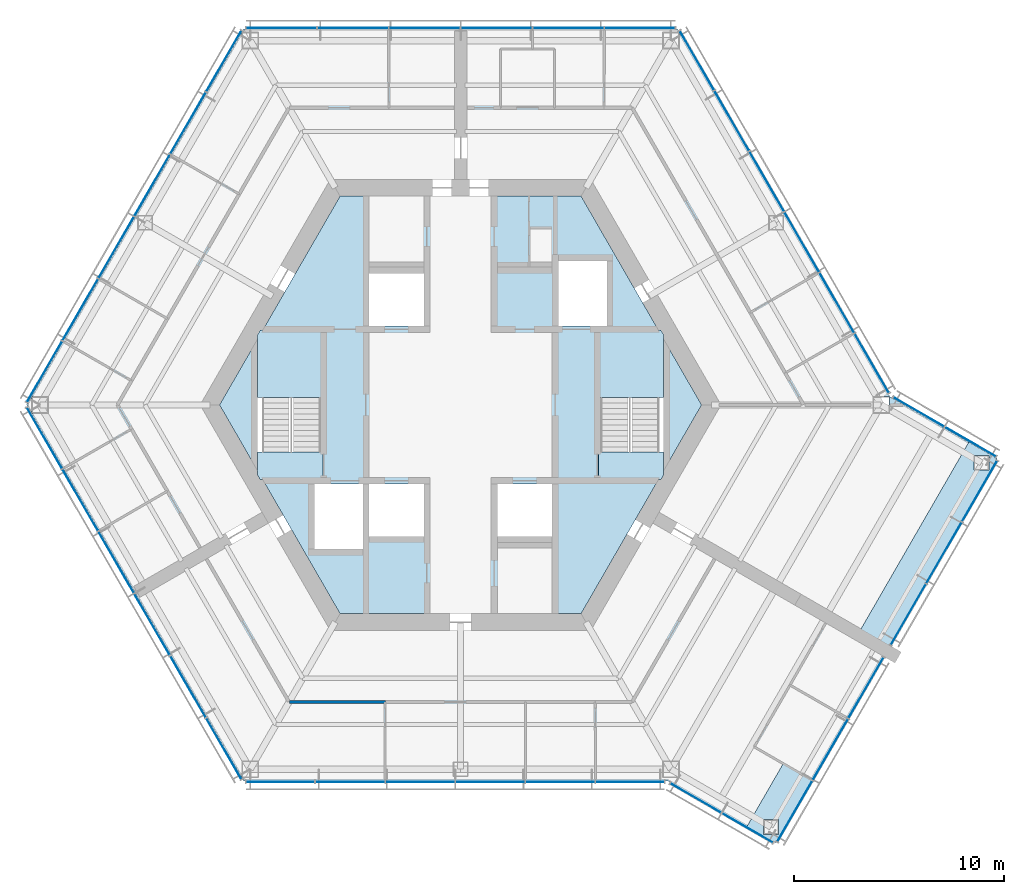
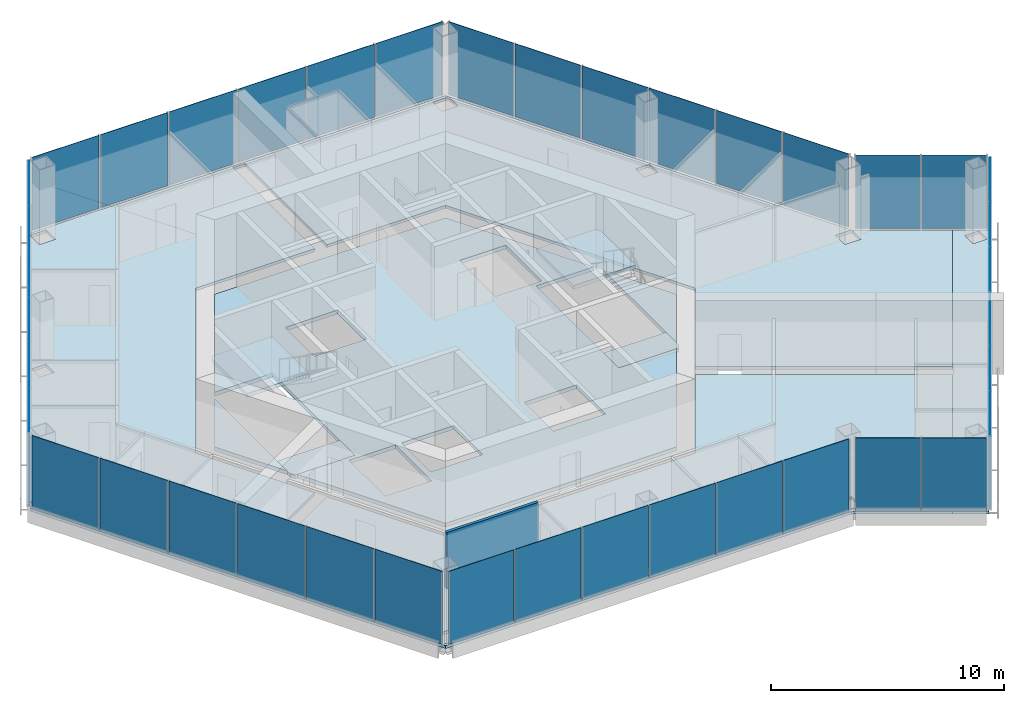
# One storey, part 6 of 13: 40 plates, 9 slabs, 1 wall, 11 elements without a shape of their own.
"""IFC4 building model written with IfcOpenShell, lengths in metres."""

from ifc_helpers import new_model, si_unit, direction, frame, frame_2d, origin, origin_2d, place, context, subcontext, project, spatial, polyline, rectangle, outline, extrude, material, layer, layer_set, type_object, element, aggregate, save


model = new_model("IFC4")

# Units and contexts
model_context = context("Model", 3, precision=1e-05, world=origin(), true_north=direction((0.0, 1.0)))
body_context = subcontext(model_context, "Body", "Model", "MODEL_VIEW")
ifc_project = project(units=[si_unit("LENGTHUNIT", "METRE"), si_unit("AREAUNIT", "SQUARE_METRE"), si_unit("VOLUMEUNIT", "CUBIC_METRE"), si_unit("PLANEANGLEUNIT", "RADIAN"), si_unit("MASSUNIT", "GRAM", prefix="KILO")], contexts=[model_context])

# Site, building, storey
site_placement = place(None, origin())
site = spatial("IfcSite", under=ifc_project, at=site_placement, CompositionType="ELEMENT")
building_placement = place(site_placement, origin())
building = spatial("IfcBuilding", under=site, at=building_placement, Name="Kasaneha Research Tower", CompositionType="ELEMENT")
storey_placement = place(building_placement, frame((0.0, 0.0, 290.800048828125)))
storey = spatial("IfcBuildingStorey", under=building, at=storey_placement, Name="L73", CompositionType="ELEMENT", Elevation=290.800048828125)

# Curtain wall, plates
ifc_material_1 = material(Name="Glass and aluminium", Category="aluminium")
curtain_wall_type = type_object("IfcCurtainWallType", Name="Crown curtain wall", PredefinedType="USERDEFINED", material=ifc_material_1)
curtain_wall_1_placement = place(storey_placement, origin())
curtain_wall_1 = element("IfcCurtainWall", 1, at=curtain_wall_1_placement, inside=storey, type_object=curtain_wall_type, Name="CW-C L73 run 01a", ObjectType="UNITISED CURTAIN WALL", PredefinedType="USERDEFINED")
ifc_material_2 = material(Name="Laminated double glazing", Category="glass")
ifc_layer_1 = layer(ifc_material_2, 0.02587890625)
ifc_layer_set_1 = layer_set([ifc_layer_1], Name="CW-C glazed panel")
plate_type = type_object("IfcPlateType", Name="CW-C glazed panel", PredefinedType="CURTAIN_PANEL", material=ifc_layer_set_1)
plate_1_placement = place(storey_placement, frame((19.549072265625, 1.981201171875, 0.06005859375), z_axis=(0.0, 0.0, 1.0), x_axis=(-0.499999979232, 0.866025415775, 0.0)))
plate_1 = element("IfcPlate", 2, at=plate_1_placement, type_object=plate_type, Name="CW-C panel 1", PredefinedType="CURTAIN_PANEL", context=body_context, shape_type="SweptSolid", body=[
    extrude(rectangle(XDim=3.240966796875, YDim=0.02587890625, at=origin_2d()), origin(), (0.0, 0.0, 1.0), 3.840087890625),
])
plate_2_placement = place(storey_placement, frame((17.89111328125, 4.852783203125, 0.06005859375), z_axis=(0.0, 0.0, 1.0), x_axis=(-0.499999979232, 0.866025415775, 0.0)))
plate_2 = element("IfcPlate", 3, at=plate_2_placement, type_object=plate_type, Name="CW-C panel 2", PredefinedType="CURTAIN_PANEL", context=body_context, shape_type="SweptSolid", body=[
    extrude(rectangle(XDim=3.27099609375, YDim=0.02587890625, at=origin_2d()), origin(), (0.0, 0.0, 1.0), 3.840087890625),
])
plate_3_placement = place(storey_placement, frame((16.2255859375, 7.737548828125, 0.06005859375), z_axis=(0.0, 0.0, 1.0), x_axis=(-0.499999979232, 0.866025415775, 0.0)))
plate_3 = element("IfcPlate", 4, at=plate_3_placement, type_object=plate_type, Name="CW-C panel 3", PredefinedType="CURTAIN_PANEL", context=body_context, shape_type="SweptSolid", body=[
    extrude(rectangle(XDim=3.27099609375, YDim=0.02587890625, at=origin_2d()), origin(), (0.0, 0.0, 1.0), 3.840087890625),
])
plate_4_placement = place(storey_placement, frame((14.56005859375, 10.622314453125, 0.06005859375), z_axis=(0.0, 0.0, 1.0), x_axis=(-0.499999979232, 0.866025415775, 0.0)))
plate_4 = element("IfcPlate", 5, at=plate_4_placement, type_object=plate_type, Name="CW-C panel 4", PredefinedType="CURTAIN_PANEL", context=body_context, shape_type="SweptSolid", body=[
    extrude(rectangle(XDim=3.27099609375, YDim=0.02587890625, at=origin_2d()), origin(), (0.0, 0.0, 1.0), 3.840087890625),
])
plate_5_placement = place(storey_placement, frame((12.89453125, 13.5068359375, 0.06005859375), z_axis=(0.0, 0.0, 1.0), x_axis=(-0.499999979232, 0.866025415775, 0.0)))
plate_5 = element("IfcPlate", 6, at=plate_5_placement, type_object=plate_type, Name="CW-C panel 5", PredefinedType="CURTAIN_PANEL", context=body_context, shape_type="SweptSolid", body=[
    extrude(rectangle(XDim=3.27099609375, YDim=0.02587890625, at=origin_2d()), origin(), (0.0, 0.0, 1.0), 3.840087890625),
])
plate_6_placement = place(storey_placement, frame((11.236572265625, 16.378662109375, 0.06005859375), z_axis=(0.0, 0.0, 1.0), x_axis=(-0.499999979232, 0.866025415775, 0.0)))
plate_6 = element("IfcPlate", 7, at=plate_6_placement, type_object=plate_type, Name="CW-C panel 6", PredefinedType="CURTAIN_PANEL", context=body_context, shape_type="SweptSolid", body=[
    extrude(rectangle(XDim=3.240966796875, YDim=0.02587890625, at=origin_2d()), origin(), (0.0, 0.0, 1.0), 3.840087890625),
])
aggregate(curtain_wall_1, [plate_1, plate_2, plate_3, plate_4, plate_5, plate_6])

curtain_wall_2_placement = place(storey_placement, origin())
curtain_wall_2 = element("IfcCurtainWall", 8, at=curtain_wall_2_placement, inside=storey, type_object=curtain_wall_type, Name="CW-C L73 run 02a", ObjectType="UNITISED CURTAIN WALL", PredefinedType="USERDEFINED")
plate_7_placement = place(storey_placement, frame((8.523681640625, 17.92041015625, 0.06005859375), z_axis=(0.0, 0.0, 1.0), x_axis=(-1.0, 0.0, 0.0)))
plate_7 = element("IfcPlate", 9, at=plate_7_placement, type_object=plate_type, Name="CW-C panel 1", PredefinedType="CURTAIN_PANEL", context=body_context, shape_type="SweptSolid", body=[
    extrude(rectangle(XDim=3.325439453125, YDim=0.02587890625, at=origin_2d()), origin(), (0.0, 0.0, 1.0), 3.840087890625),
])
plate_8_placement = place(storey_placement, frame((5.123291015625, 17.92041015625, 0.06005859375), z_axis=(0.0, 0.0, 1.0), x_axis=(-1.0, 0.0, 0.0)))
plate_8 = element("IfcPlate", 10, at=plate_8_placement, type_object=plate_type, Name="CW-C panel 2", PredefinedType="CURTAIN_PANEL", context=body_context, shape_type="SweptSolid", body=[
    extrude(rectangle(XDim=3.35546875, YDim=0.02587890625, at=origin_2d()), origin(), (0.0, 0.0, 1.0), 3.840087890625),
])
plate_9_placement = place(storey_placement, frame((1.707763671875, 17.92041015625, 0.06005859375), z_axis=(0.0, 0.0, 1.0), x_axis=(-1.0, 0.0, 0.0)))
plate_9 = element("IfcPlate", 11, at=plate_9_placement, type_object=plate_type, Name="CW-C panel 3", PredefinedType="CURTAIN_PANEL", context=body_context, shape_type="SweptSolid", body=[
    extrude(rectangle(XDim=3.35546875, YDim=0.02587890625, at=origin_2d()), origin(), (0.0, 0.0, 1.0), 3.840087890625),
])
plate_10_placement = place(storey_placement, frame((-1.707763671875, 17.92041015625, 0.06005859375), z_axis=(0.0, 0.0, 1.0), x_axis=(-1.0, 0.0, 0.0)))
plate_10 = element("IfcPlate", 12, at=plate_10_placement, type_object=plate_type, Name="CW-C panel 4", PredefinedType="CURTAIN_PANEL", context=body_context, shape_type="SweptSolid", body=[
    extrude(rectangle(XDim=3.35546875, YDim=0.02587890625, at=origin_2d()), origin(), (0.0, 0.0, 1.0), 3.840087890625),
])
plate_11_placement = place(storey_placement, frame((-5.123291015625, 17.92041015625, 0.06005859375), z_axis=(0.0, 0.0, 1.0), x_axis=(-1.0, 0.0, 0.0)))
plate_11 = element("IfcPlate", 13, at=plate_11_placement, type_object=plate_type, Name="CW-C panel 5", PredefinedType="CURTAIN_PANEL", context=body_context, shape_type="SweptSolid", body=[
    extrude(rectangle(XDim=3.35546875, YDim=0.02587890625, at=origin_2d()), origin(), (0.0, 0.0, 1.0), 3.840087890625),
])
plate_12_placement = place(storey_placement, frame((-8.523681640625, 17.92041015625, 0.06005859375), z_axis=(0.0, 0.0, 1.0), x_axis=(-1.0, 0.0, 0.0)))
plate_12 = element("IfcPlate", 14, at=plate_12_placement, type_object=plate_type, Name="CW-C panel 6", PredefinedType="CURTAIN_PANEL", context=body_context, shape_type="SweptSolid", body=[
    extrude(rectangle(XDim=3.325439453125, YDim=0.02587890625, at=origin_2d()), origin(), (0.0, 0.0, 1.0), 3.840087890625),
])
aggregate(curtain_wall_2, [plate_7, plate_8, plate_9, plate_10, plate_11, plate_12])

curtain_wall_3_placement = place(storey_placement, origin())
curtain_wall_3 = element("IfcCurtainWall", 15, at=curtain_wall_3_placement, inside=storey, type_object=curtain_wall_type, Name="CW-C L73 run 03a", ObjectType="UNITISED CURTAIN WALL", PredefinedType="USERDEFINED")
plate_13_placement = place(storey_placement, frame((-11.2578125, 16.342041015625, 0.06005859375), z_axis=(0.0, 0.0, 1.0), x_axis=(-0.499999995722, -0.866025406254, 0.0)))
plate_13 = element("IfcPlate", 16, at=plate_13_placement, type_object=plate_type, Name="CW-C panel 1", PredefinedType="CURTAIN_PANEL", context=body_context, shape_type="SweptSolid", body=[
    extrude(rectangle(XDim=3.325439453125, YDim=0.02587890625, at=origin_2d()), origin(), (0.0, 0.0, 1.0), 3.840087890625),
])
plate_14_placement = place(storey_placement, frame((-12.9580078125, 13.39697265625, 0.06005859375), z_axis=(0.0, 0.0, 1.0), x_axis=(-0.499999995722, -0.866025406254, 0.0)))
plate_14 = element("IfcPlate", 17, at=plate_14_placement, type_object=plate_type, Name="CW-C panel 2", PredefinedType="CURTAIN_PANEL", context=body_context, shape_type="SweptSolid", body=[
    extrude(rectangle(XDim=3.35546875, YDim=0.02587890625, at=origin_2d()), origin(), (0.0, 0.0, 1.0), 3.840087890625),
])
plate_15_placement = place(storey_placement, frame((-14.665771484375, 10.439208984375, 0.06005859375), z_axis=(0.0, 0.0, 1.0), x_axis=(-0.499999995722, -0.866025406254, 0.0)))
plate_15 = element("IfcPlate", 18, at=plate_15_placement, type_object=plate_type, Name="CW-C panel 3", PredefinedType="CURTAIN_PANEL", context=body_context, shape_type="SweptSolid", body=[
    extrude(rectangle(XDim=3.35546875, YDim=0.02587890625, at=origin_2d()), origin(), (0.0, 0.0, 1.0), 3.840087890625),
])
plate_16_placement = place(storey_placement, frame((-16.37353515625, 7.481201171875, 0.06005859375), z_axis=(0.0, 0.0, 1.0), x_axis=(-0.499999995722, -0.866025406254, 0.0)))
plate_16 = element("IfcPlate", 19, at=plate_16_placement, type_object=plate_type, Name="CW-C panel 4", PredefinedType="CURTAIN_PANEL", context=body_context, shape_type="SweptSolid", body=[
    extrude(rectangle(XDim=3.35546875, YDim=0.02587890625, at=origin_2d()), origin(), (0.0, 0.0, 1.0), 3.840087890625),
])
plate_17_placement = place(storey_placement, frame((-18.081298828125, 4.5234375, 0.06005859375), z_axis=(0.0, 0.0, 1.0), x_axis=(-0.499999995722, -0.866025406254, 0.0)))
plate_17 = element("IfcPlate", 20, at=plate_17_placement, type_object=plate_type, Name="CW-C panel 5", PredefinedType="CURTAIN_PANEL", context=body_context, shape_type="SweptSolid", body=[
    extrude(rectangle(XDim=3.35546875, YDim=0.02587890625, at=origin_2d()), origin(), (0.0, 0.0, 1.0), 3.840087890625),
])
plate_18_placement = place(storey_placement, frame((-19.781494140625, 1.57861328125, 0.06005859375), z_axis=(0.0, 0.0, 1.0), x_axis=(-0.499999995722, -0.866025406254, 0.0)))
plate_18 = element("IfcPlate", 21, at=plate_18_placement, type_object=plate_type, Name="CW-C panel 6", PredefinedType="CURTAIN_PANEL", context=body_context, shape_type="SweptSolid", body=[
    extrude(rectangle(XDim=3.325439453125, YDim=0.02587890625, at=origin_2d()), origin(), (0.0, 0.0, 1.0), 3.840087890625),
])
aggregate(curtain_wall_3, [plate_13, plate_14, plate_15, plate_16, plate_17, plate_18])

curtain_wall_4_placement = place(storey_placement, origin())
curtain_wall_4 = element("IfcCurtainWall", 22, at=curtain_wall_4_placement, inside=storey, type_object=curtain_wall_type, Name="CW-C L73 run 04a", ObjectType="UNITISED CURTAIN WALL", PredefinedType="USERDEFINED")
plate_19_placement = place(storey_placement, frame((-19.781494140625, -1.57861328125, 0.06005859375), z_axis=(0.0, 0.0, 1.0), x_axis=(0.499999995722, -0.866025406254, 0.0)))
plate_19 = element("IfcPlate", 23, at=plate_19_placement, type_object=plate_type, Name="CW-C panel 1", PredefinedType="CURTAIN_PANEL", context=body_context, shape_type="SweptSolid", body=[
    extrude(rectangle(XDim=3.325439453125, YDim=0.02587890625, at=origin_2d()), origin(), (0.0, 0.0, 1.0), 3.840087890625),
])
plate_20_placement = place(storey_placement, frame((-18.081298828125, -4.5234375, 0.06005859375), z_axis=(0.0, 0.0, 1.0), x_axis=(0.499999995722, -0.866025406254, 0.0)))
plate_20 = element("IfcPlate", 24, at=plate_20_placement, type_object=plate_type, Name="CW-C panel 2", PredefinedType="CURTAIN_PANEL", context=body_context, shape_type="SweptSolid", body=[
    extrude(rectangle(XDim=3.35546875, YDim=0.02587890625, at=origin_2d()), origin(), (0.0, 0.0, 1.0), 3.840087890625),
])
plate_21_placement = place(storey_placement, frame((-16.37353515625, -7.481201171875, 0.06005859375), z_axis=(0.0, 0.0, 1.0), x_axis=(0.499999995722, -0.866025406254, 0.0)))
plate_21 = element("IfcPlate", 25, at=plate_21_placement, type_object=plate_type, Name="CW-C panel 3", PredefinedType="CURTAIN_PANEL", context=body_context, shape_type="SweptSolid", body=[
    extrude(rectangle(XDim=3.35546875, YDim=0.02587890625, at=origin_2d()), origin(), (0.0, 0.0, 1.0), 3.840087890625),
])
plate_22_placement = place(storey_placement, frame((-14.665771484375, -10.439208984375, 0.06005859375), z_axis=(0.0, 0.0, 1.0), x_axis=(0.499999995722, -0.866025406254, 0.0)))
plate_22 = element("IfcPlate", 26, at=plate_22_placement, type_object=plate_type, Name="CW-C panel 4", PredefinedType="CURTAIN_PANEL", context=body_context, shape_type="SweptSolid", body=[
    extrude(rectangle(XDim=3.35546875, YDim=0.02587890625, at=origin_2d()), origin(), (0.0, 0.0, 1.0), 3.840087890625),
])
plate_23_placement = place(storey_placement, frame((-12.9580078125, -13.39697265625, 0.06005859375), z_axis=(0.0, 0.0, 1.0), x_axis=(0.499999995722, -0.866025406254, 0.0)))
plate_23 = element("IfcPlate", 27, at=plate_23_placement, type_object=plate_type, Name="CW-C panel 5", PredefinedType="CURTAIN_PANEL", context=body_context, shape_type="SweptSolid", body=[
    extrude(rectangle(XDim=3.35546875, YDim=0.02587890625, at=origin_2d()), origin(), (0.0, 0.0, 1.0), 3.840087890625),
])
plate_24_placement = place(storey_placement, frame((-11.2578125, -16.342041015625, 0.06005859375), z_axis=(0.0, 0.0, 1.0), x_axis=(0.499999995722, -0.866025406254, 0.0)))
plate_24 = element("IfcPlate", 28, at=plate_24_placement, type_object=plate_type, Name="CW-C panel 6", PredefinedType="CURTAIN_PANEL", context=body_context, shape_type="SweptSolid", body=[
    extrude(rectangle(XDim=3.325439453125, YDim=0.02587890625, at=origin_2d()), origin(), (0.0, 0.0, 1.0), 3.840087890625),
])
aggregate(curtain_wall_4, [plate_19, plate_20, plate_21, plate_22, plate_23, plate_24])

curtain_wall_5_placement = place(storey_placement, origin())
curtain_wall_5 = element("IfcCurtainWall", 29, at=curtain_wall_5_placement, inside=storey, type_object=curtain_wall_type, Name="CW-C L73 run 05a", ObjectType="UNITISED CURTAIN WALL", PredefinedType="USERDEFINED")
plate_25_placement = place(storey_placement, frame((-8.56591796875, -17.92041015625, 0.06005859375), z_axis=(0.0, 0.0, 1.0), x_axis=(1.0, 0.0, 0.0)))
plate_25 = element("IfcPlate", 30, at=plate_25_placement, type_object=plate_type, Name="CW-C panel 1", PredefinedType="CURTAIN_PANEL", context=body_context, shape_type="SweptSolid", body=[
    extrude(rectangle(XDim=3.240966796875, YDim=0.02587890625, at=origin_2d()), origin(), (0.0, 0.0, 1.0), 3.840087890625),
])
plate_26_placement = place(storey_placement, frame((-5.25, -17.92041015625, 0.06005859375), z_axis=(0.0, 0.0, 1.0), x_axis=(1.0, 0.0, 0.0)))
plate_26 = element("IfcPlate", 31, at=plate_26_placement, type_object=plate_type, Name="CW-C panel 2", PredefinedType="CURTAIN_PANEL", context=body_context, shape_type="SweptSolid", body=[
    extrude(rectangle(XDim=3.27099609375, YDim=0.02587890625, at=origin_2d()), origin(), (0.0, 0.0, 1.0), 3.840087890625),
])
plate_27_placement = place(storey_placement, frame((-1.9189453125, -17.92041015625, 0.06005859375), z_axis=(0.0, 0.0, 1.0), x_axis=(1.0, 0.0, 0.0)))
plate_27 = element("IfcPlate", 32, at=plate_27_placement, type_object=plate_type, Name="CW-C panel 3", PredefinedType="CURTAIN_PANEL", context=body_context, shape_type="SweptSolid", body=[
    extrude(rectangle(XDim=3.27099609375, YDim=0.02587890625, at=origin_2d()), origin(), (0.0, 0.0, 1.0), 3.840087890625),
])
plate_28_placement = place(storey_placement, frame((1.411865234375, -17.92041015625, 0.06005859375), z_axis=(0.0, 0.0, 1.0), x_axis=(1.0, 0.0, 0.0)))
plate_28 = element("IfcPlate", 33, at=plate_28_placement, type_object=plate_type, Name="CW-C panel 4", PredefinedType="CURTAIN_PANEL", context=body_context, shape_type="SweptSolid", body=[
    extrude(rectangle(XDim=3.27099609375, YDim=0.02587890625, at=origin_2d()), origin(), (0.0, 0.0, 1.0), 3.840087890625),
])
plate_29_placement = place(storey_placement, frame((4.742919921875, -17.92041015625, 0.06005859375), z_axis=(0.0, 0.0, 1.0), x_axis=(1.0, 0.0, 0.0)))
plate_29 = element("IfcPlate", 34, at=plate_29_placement, type_object=plate_type, Name="CW-C panel 5", PredefinedType="CURTAIN_PANEL", context=body_context, shape_type="SweptSolid", body=[
    extrude(rectangle(XDim=3.27099609375, YDim=0.02587890625, at=origin_2d()), origin(), (0.0, 0.0, 1.0), 3.840087890625),
])
plate_30_placement = place(storey_placement, frame((8.058837890625, -17.92041015625, 0.06005859375), z_axis=(0.0, 0.0, 1.0), x_axis=(1.0, 0.0, 0.0)))
plate_30 = element("IfcPlate", 35, at=plate_30_placement, type_object=plate_type, Name="CW-C panel 6", PredefinedType="CURTAIN_PANEL", context=body_context, shape_type="SweptSolid", body=[
    extrude(rectangle(XDim=3.240966796875, YDim=0.02587890625, at=origin_2d()), origin(), (0.0, 0.0, 1.0), 3.840087890625),
])
aggregate(curtain_wall_5, [plate_25, plate_26, plate_27, plate_28, plate_29, plate_30])

curtain_wall_6_placement = place(storey_placement, origin())
curtain_wall_6 = element("IfcCurtainWall", 36, at=curtain_wall_6_placement, inside=storey, type_object=curtain_wall_type, Name="CW-C L73 run 06a", ObjectType="UNITISED CURTAIN WALL", PredefinedType="USERDEFINED")
plate_31_placement = place(storey_placement, frame((11.181396484375, -18.6953125, 0.06005859375), z_axis=(0.0, 0.0, 1.0), x_axis=(0.866025443395, -0.499999931393, 0.0)))
plate_31 = element("IfcPlate", 37, at=plate_31_placement, type_object=plate_type, Name="CW-C panel 1", PredefinedType="CURTAIN_PANEL", context=body_context, shape_type="SweptSolid", body=[
    extrude(rectangle(XDim=2.779541015625, YDim=0.02587890625, at=origin_2d()), origin(), (0.0, 0.0, 1.0), 3.840087890625),
])
plate_32_placement = place(storey_placement, frame((13.640625, -20.115234375, 0.06005859375), z_axis=(0.0, 0.0, 1.0), x_axis=(0.866025443395, -0.499999931393, 0.0)))
plate_32 = element("IfcPlate", 38, at=plate_32_placement, type_object=plate_type, Name="CW-C panel 2", PredefinedType="CURTAIN_PANEL", context=body_context, shape_type="SweptSolid", body=[
    extrude(rectangle(XDim=2.779541015625, YDim=0.02587890625, at=origin_2d()), origin(), (0.0, 0.0, 1.0), 3.840087890625),
])
aggregate(curtain_wall_6, [plate_31, plate_32])

curtain_wall_7_placement = place(storey_placement, origin())
curtain_wall_7 = element("IfcCurtainWall", 39, at=curtain_wall_7_placement, inside=storey, type_object=curtain_wall_type, Name="CW-C L73 run 07a", ObjectType="UNITISED CURTAIN WALL", PredefinedType="USERDEFINED")
plate_33_placement = place(storey_placement, frame((15.89013671875, -19.318359375, 0.06005859375), z_axis=(0.0, 0.0, 1.0), x_axis=(0.500000011442, 0.866025397178, 0.0)))
plate_33 = element("IfcPlate", 40, at=plate_33_placement, type_object=plate_type, Name="CW-C panel 1", PredefinedType="CURTAIN_PANEL", context=body_context, shape_type="SweptSolid", body=[
    extrude(rectangle(XDim=3.31005859375, YDim=0.02587890625, at=origin_2d()), origin(), (0.0, 0.0, 1.0), 3.840087890625),
])
plate_34_placement = place(storey_placement, frame((17.582763671875, -16.38671875, 0.06005859375), z_axis=(0.0, 0.0, 1.0), x_axis=(0.500000011442, 0.866025397178, 0.0)))
plate_34 = element("IfcPlate", 41, at=plate_34_placement, type_object=plate_type, Name="CW-C panel 2", PredefinedType="CURTAIN_PANEL", context=body_context, shape_type="SweptSolid", body=[
    extrude(rectangle(XDim=3.340087890625, YDim=0.02587890625, at=origin_2d()), origin(), (0.0, 0.0, 1.0), 3.840087890625),
])
plate_35_placement = place(storey_placement, frame((19.275146484375, -13.455322265625, 0.06005859375), z_axis=(0.0, 0.0, 1.0), x_axis=(0.500000011442, 0.866025397178, 0.0)))
plate_35 = element("IfcPlate", 42, at=plate_35_placement, type_object=plate_type, Name="CW-C panel 3", PredefinedType="CURTAIN_PANEL", context=body_context, shape_type="SweptSolid", body=[
    extrude(rectangle(XDim=3.31005859375, YDim=0.02587890625, at=origin_2d()), origin(), (0.0, 0.0, 1.0), 3.840087890625),
])
aggregate(curtain_wall_7, [plate_33, plate_34, plate_35])

curtain_wall_8_placement = place(storey_placement, origin())
curtain_wall_8 = element("IfcCurtainWall", 43, at=curtain_wall_8_placement, inside=storey, type_object=curtain_wall_type, Name="CW-C L73 run 08a", ObjectType="UNITISED CURTAIN WALL", PredefinedType="USERDEFINED")
plate_36_placement = place(storey_placement, frame((21.290283203125, -9.96533203125, 0.06005859375), z_axis=(0.0, 0.0, 1.0), x_axis=(0.500000011442, 0.866025397178, 0.0)))
plate_36 = element("IfcPlate", 44, at=plate_36_placement, type_object=plate_type, Name="CW-C panel 1", PredefinedType="CURTAIN_PANEL", context=body_context, shape_type="SweptSolid", body=[
    extrude(rectangle(XDim=3.31005859375, YDim=0.02587890625, at=origin_2d()), origin(), (0.0, 0.0, 1.0), 3.840087890625),
])
plate_37_placement = place(storey_placement, frame((22.982666015625, -7.03369140625, 0.06005859375), z_axis=(0.0, 0.0, 1.0), x_axis=(0.500000011442, 0.866025397178, 0.0)))
plate_37 = element("IfcPlate", 45, at=plate_37_placement, type_object=plate_type, Name="CW-C panel 2", PredefinedType="CURTAIN_PANEL", context=body_context, shape_type="SweptSolid", body=[
    extrude(rectangle(XDim=3.340087890625, YDim=0.02587890625, at=origin_2d()), origin(), (0.0, 0.0, 1.0), 3.840087890625),
])
plate_38_placement = place(storey_placement, frame((24.67529296875, -4.102294921875, 0.06005859375), z_axis=(0.0, 0.0, 1.0), x_axis=(0.500000011442, 0.866025397178, 0.0)))
plate_38 = element("IfcPlate", 46, at=plate_38_placement, type_object=plate_type, Name="CW-C panel 3", PredefinedType="CURTAIN_PANEL", context=body_context, shape_type="SweptSolid", body=[
    extrude(rectangle(XDim=3.31005859375, YDim=0.02587890625, at=origin_2d()), origin(), (0.0, 0.0, 1.0), 3.840087890625),
])
aggregate(curtain_wall_8, [plate_36, plate_37, plate_38])

curtain_wall_9_placement = place(storey_placement, origin())
curtain_wall_9 = element("IfcCurtainWall", 47, at=curtain_wall_9_placement, inside=storey, type_object=curtain_wall_type, Name="CW-C L73 run 09a", ObjectType="UNITISED CURTAIN WALL", PredefinedType="USERDEFINED")
plate_39_placement = place(storey_placement, frame((24.240478515625, -1.75537109375, 0.06005859375), z_axis=(0.0, 0.0, 1.0), x_axis=(-0.866025443395, 0.499999931393, 0.0)))
plate_39 = element("IfcPlate", 48, at=plate_39_placement, type_object=plate_type, Name="CW-C panel 1", PredefinedType="CURTAIN_PANEL", context=body_context, shape_type="SweptSolid", body=[
    extrude(rectangle(XDim=2.779541015625, YDim=0.02587890625, at=origin_2d()), origin(), (0.0, 0.0, 1.0), 3.840087890625),
])
plate_40_placement = place(storey_placement, frame((21.781494140625, -0.335693359375, 0.06005859375), z_axis=(0.0, 0.0, 1.0), x_axis=(-0.866025443395, 0.499999931393, 0.0)))
plate_40 = element("IfcPlate", 49, at=plate_40_placement, type_object=plate_type, Name="CW-C panel 2", PredefinedType="CURTAIN_PANEL", context=body_context, shape_type="SweptSolid", body=[
    extrude(rectangle(XDim=2.779541015625, YDim=0.02587890625, at=origin_2d()), origin(), (0.0, 0.0, 1.0), 3.840087890625),
])
aggregate(curtain_wall_9, [plate_39, plate_40])

# Slabs
ifc_material_3 = material(Name="Concrete Fc24", Category="concrete")
ifc_layer_2 = layer(ifc_material_3, 0.199951171875)
ifc_layer_set_2 = layer_set([ifc_layer_2], Name="Core floor slab 200")
slab_type_1 = type_object("IfcSlabType", Name="Core floor slab 200", PredefinedType="FLOOR", material=ifc_layer_set_2)
slab_1_placement = place(storey_placement, frame((0.0, 0.0, -0.199951171875)))
element("IfcSlab", 50, at=slab_1_placement, inside=storey, type_object=slab_type_1, Name="Core slab L73", PredefinedType="FLOOR", context=body_context, shape_type="SweptSolid", body=[
    extrude(outline(polyline([(-11.46044921875, 0.0), (-9.64990234375, 3.1357421875), (-9.64990234375, -3.1357421875), (-11.46044921875, 0.0)])), origin(), (0.0, 0.0, 1.0), 0.199951171875),
])
slab_2_placement = place(storey_placement, frame((0.0, 0.0, -0.199951171875)))
element("IfcSlab", 51, at=slab_2_placement, inside=storey, type_object=slab_type_1, Name="Core slab L73", PredefinedType="FLOOR", context=body_context, shape_type="SweptSolid", body=[
    extrude(outline(polyline([(-5.730224609375, 9.925048828125), (5.730224609375, 9.925048828125), (9.410888671875, 3.550048828125), (6.550048828125, 3.550048828125), (6.550048828125, -3.550048828125), (9.410888671875, -3.550048828125), (5.730224609375, -9.925048828125), (-5.730224609375, -9.925048828125), (-9.410888671875, -3.550048828125), (-6.550048828125, -3.550048828125), (-6.550048828125, 3.550048828125), (-9.410888671875, 3.550048828125), (-5.730224609375, 9.925048828125)]), holes=[polyline([(-6.949951171875, -6.85009765625), (-4.64990234375, -6.85009765625), (-4.64990234375, -3.75), (-6.949951171875, -3.75), (-6.949951171875, -6.85009765625)]), polyline([(-4.35009765625, -3.75), (-4.35009765625, -6.25), (-1.75, -6.25), (-1.75, -3.75), (-4.35009765625, -3.75)]), polyline([(1.75, -3.75), (1.75, -6.25), (4.35009765625, -6.25), (4.35009765625, -3.75), (1.75, -3.75)]), polyline([(-4.35009765625, 6.25), (-4.35009765625, 3.75), (-1.75, 3.75), (-1.75, 6.25), (-4.35009765625, 6.25)]), polyline([(4.64990234375, 6.85009765625), (4.64990234375, 3.75), (6.949951171875, 3.75), (6.949951171875, 6.85009765625), (4.64990234375, 6.85009765625)])]), origin(), (0.0, 0.0, 1.0), 0.199951171875),
])
slab_3_placement = place(storey_placement, frame((0.0, 0.0, -0.199951171875)))
element("IfcSlab", 52, at=slab_3_placement, inside=storey, type_object=slab_type_1, Name="Core slab L73", PredefinedType="FLOOR", context=body_context, shape_type="SweptSolid", body=[
    extrude(outline(polyline([(11.46044921875, 0.0), (9.64990234375, -3.1357421875), (9.64990234375, 3.1357421875), (11.46044921875, 0.0)])), origin(), (0.0, 0.0, 1.0), 0.199951171875),
])
ifc_material_4 = material(Name="Concrete Fc24", Category="concrete")
ifc_layer_3 = layer(ifc_material_4, 0.14990234375)
ifc_layer_set_3 = layer_set([ifc_layer_3], Name="Floor slab 150")
slab_type_2 = type_object("IfcSlabType", Name="Floor slab 150", PredefinedType="FLOOR", material=ifc_layer_set_3)
slab_4_placement = place(storey_placement, frame((0.0, 0.0, -0.150146484375)))
element("IfcSlab", 53, at=slab_4_placement, inside=storey, type_object=slab_type_2, Name="Floor slab L73 1", PredefinedType="FLOOR", context=body_context, shape_type="SweptSolid", body=[
    extrude(outline(polyline([(-10.317626953125, -17.87060546875), (-10.3974609375, -17.732177734375), (-10.385986328125, -17.720703125), (-9.599853515625, -17.720703125), (-9.599853515625, -16.92041015625), (-10.400146484375, -16.92041015625), (-10.400146484375, -17.70654296875), (-10.40771484375, -17.714111328125), (-20.635009765625, 0.0), (-20.40771484375, 0.3935546875), (-20.400146484375, 0.385986328125), (-20.400146484375, -0.400146484375), (-19.599853515625, -0.400146484375), (-19.599853515625, 0.400146484375), (-20.385986328125, 0.400146484375), (-20.3974609375, 0.41162109375), (-10.40771484375, 17.714111328125), (-10.400146484375, 17.70654296875), (-10.400146484375, 16.92041015625), (-9.599853515625, 16.92041015625), (-9.599853515625, 17.720703125), (-10.385986328125, 17.720703125), (-10.3974609375, 17.732177734375), (-10.317626953125, 17.87060546875), (10.317626953125, 17.87060546875), (10.3974609375, 17.732177734375), (10.385986328125, 17.720703125), (9.599853515625, 17.720703125), (9.599853515625, 16.92041015625), (10.400146484375, 16.92041015625), (10.400146484375, 17.70654296875), (10.40771484375, 17.714111328125), (20.3974609375, 0.41162109375), (20.385986328125, 0.400146484375), (19.599853515625, 0.400146484375), (19.599853515625, -0.400146484375), (20.400146484375, -0.400146484375), (20.400146484375, 0.385986328125), (20.41162109375, 0.3974609375), (24.163330078125, -1.768798828125), (19.038330078125, -10.6455078125), (9.438232421875, -5.102783203125), (12.38427734375, 0.0), (6.192138671875, 10.72509765625), (0.300048828125, 10.72509765625), (0.300048828125, 17.7705078125), (-0.300048828125, 17.7705078125), (-0.300048828125, 10.72509765625), (-6.192138671875, 10.72509765625), (-12.38427734375, 0.0), (-9.438232421875, -5.102783203125), (-15.539794921875, -8.62548828125), (-15.23974609375, -9.14501953125), (-9.13818359375, -5.622314453125), (-6.192138671875, -10.72509765625), (6.192138671875, -10.72509765625), (9.13818359375, -5.622314453125), (18.738525390625, -11.1650390625), (13.613525390625, -20.041748046875), (9.8525390625, -17.87060546875), (-10.317626953125, -17.87060546875)]), holes=[polyline([(0.35009765625, -17.67041015625), (0.35009765625, -16.970458984375), (-0.35009765625, -16.970458984375), (-0.35009765625, -17.67041015625), (0.35009765625, -17.67041015625)]), polyline([(-15.35009765625, 8.310302734375), (-14.64990234375, 8.310302734375), (-14.64990234375, 9.01025390625), (-15.35009765625, 9.01025390625), (-15.35009765625, 8.310302734375)]), polyline([(9.60009765625, -17.720458984375), (10.39990234375, -17.720458984375), (10.39990234375, -16.92041015625), (9.60009765625, -16.92041015625), (9.60009765625, -17.720458984375)]), polyline([(14.64990234375, 8.310302734375), (15.35009765625, 8.310302734375), (15.35009765625, 9.01025390625), (14.64990234375, 9.01025390625), (14.64990234375, 8.310302734375)])]), origin(), (0.0, 0.0, 1.0), 0.150146484375),
])
slab_5_placement = place(storey_placement, frame((0.0, 0.0, -0.150146484375)))
element("IfcSlab", 54, at=slab_5_placement, inside=storey, type_object=slab_type_2, Name="Floor slab L73 2", PredefinedType="FLOOR", context=body_context, shape_type="SweptSolid", body=[
    extrude(outline(polyline([(25.514404296875, -2.548583984375), (14.96435546875, -20.82177734375), (13.613525390625, -20.041748046875), (18.738525390625, -11.1650390625), (18.7470703125, -11.170166015625), (19.047119140625, -10.650390625), (19.038330078125, -10.6455078125), (24.163330078125, -1.768798828125), (25.514404296875, -2.548583984375)]), holes=[polyline([(14.4130859375, -20.42041015625), (15.113037109375, -20.42041015625), (15.113037109375, -19.720458984375), (14.4130859375, -19.720458984375), (14.4130859375, -20.42041015625)]), polyline([(24.4130859375, -3.10009765625), (25.113037109375, -3.10009765625), (25.113037109375, -2.39990234375), (24.4130859375, -2.39990234375), (24.4130859375, -3.10009765625)])]), origin(), (0.0, 0.0, 1.0), 0.150146484375),
])

# Stair, slabs
ifc_material_5 = material(Name="Concrete Fc24", Category="concrete")
stair_type = type_object("IfcStairType", Name="Half-turn stair 22 risers", PredefinedType="HALF_TURN_STAIR", material=ifc_material_5)
stair_1_placement = place(storey_placement, origin())
stair_1 = element("IfcStair", 55, at=stair_1_placement, inside=storey, type_object=stair_type, Name="Stair 1 L73", PredefinedType="HALF_TURN_STAIR")
ifc_material_6 = material(Name="Concrete Fc24", Category="concrete")
ifc_layer_4 = layer(ifc_material_6, 0.199951171875)
ifc_layer_set_4 = layer_set([ifc_layer_4], Name="Stair 1 landing 200")
slab_type_3 = type_object("IfcSlabType", Name="Stair 1 landing 200", PredefinedType="LANDING", material=ifc_layer_set_4)
slab_6_placement = place(storey_placement, frame((0.0, 0.0, -0.199951171875)))
slab_6 = element("IfcSlab", 56, at=slab_6_placement, type_object=slab_type_3, Name="ST1-22R landing 1", PredefinedType="LANDING", context=body_context, shape_type="SweptSolid", body=[
    extrude(outline(polyline([(9.5263671875, -3.550048828125), (6.550048828125, -3.550048828125), (6.550048828125, -2.25), (9.64990234375, -2.25), (9.64990234375, -3.335693359375), (9.5263671875, -3.550048828125)])), origin(), (0.0, 0.0, 1.0), 0.199951171875),
])
slab_7_placement = place(storey_placement, frame((0.0, 0.0, 1.75)))
slab_7 = element("IfcSlab", 57, at=slab_7_placement, type_object=slab_type_3, Name="ST1-22R landing 2", PredefinedType="LANDING", context=body_context, shape_type="SweptSolid", body=[
    extrude(outline(polyline([(6.550048828125, 3.550048828125), (9.5263671875, 3.550048828125), (9.64990234375, 3.335693359375), (9.64990234375, 0.35009765625), (6.550048828125, 0.35009765625), (6.550048828125, 3.550048828125)])), origin(), (0.0, 0.0, 1.0), 0.199951171875),
])
aggregate(stair_1, [slab_6, slab_7])

stair_2_placement = place(storey_placement, origin())
stair_2 = element("IfcStair", 58, at=stair_2_placement, inside=storey, type_object=stair_type, Name="Stair 2 L73", PredefinedType="HALF_TURN_STAIR")
ifc_material_7 = material(Name="Concrete Fc24", Category="concrete")
ifc_layer_5 = layer(ifc_material_7, 0.199951171875)
ifc_layer_set_5 = layer_set([ifc_layer_5], Name="Stair 2 landing 200")
slab_type_4 = type_object("IfcSlabType", Name="Stair 2 landing 200", PredefinedType="LANDING", material=ifc_layer_set_5)
slab_8_placement = place(storey_placement, frame((0.0, 0.0, -0.199951171875)))
slab_8 = element("IfcSlab", 59, at=slab_8_placement, type_object=slab_type_4, Name="ST2-22R landing 1", PredefinedType="LANDING", context=body_context, shape_type="SweptSolid", body=[
    extrude(outline(polyline([(-6.550048828125, -3.550048828125), (-9.5263671875, -3.550048828125), (-9.64990234375, -3.335693359375), (-9.64990234375, -2.25), (-6.550048828125, -2.25), (-6.550048828125, -3.550048828125)])), origin(), (0.0, 0.0, 1.0), 0.199951171875),
])
slab_9_placement = place(storey_placement, frame((0.0, 0.0, 1.75)))
slab_9 = element("IfcSlab", 60, at=slab_9_placement, type_object=slab_type_4, Name="ST2-22R landing 2", PredefinedType="LANDING", context=body_context, shape_type="SweptSolid", body=[
    extrude(outline(polyline([(-6.550048828125, 0.35009765625), (-9.64990234375, 0.35009765625), (-9.64990234375, 3.335693359375), (-9.5263671875, 3.550048828125), (-6.550048828125, 3.550048828125), (-6.550048828125, 0.35009765625)])), origin(), (0.0, 0.0, 1.0), 0.199951171875),
])
aggregate(stair_2, [slab_8, slab_9])

# Wall
ifc_material_8 = material(Name="Gypsum board on steel studs, two layers each side", Category="steel")
ifc_layer_6 = layer(ifc_material_8, 0.14990234375)
ifc_layer_set_6 = layer_set([ifc_layer_6], Name="Suite partition 150")
wall_type = type_object("IfcWallType", Name="Suite partition 150", PredefinedType="PARTITIONING", material=ifc_layer_set_6)
wall_placement = place(storey_placement, frame((-3.57958984375, -14.125, 0.0), z_axis=(0.0, 0.0, 1.0), x_axis=(-1.0, 0.0, 0.0)))
element("IfcWall", 61, at=wall_placement, inside=storey, type_object=wall_type, Name="Suite partition FCS02 L73", PredefinedType="PARTITIONING", context=body_context, shape_type="SweptSolid", body=[
    extrude(rectangle(XDim=4.552490234375, YDim=0.14990234375, at=frame_2d((2.2763671875, 0.0))), origin(), (0.0, 0.0, 1.0), 2.949951171875),
])

save(model, "model.ifc")
